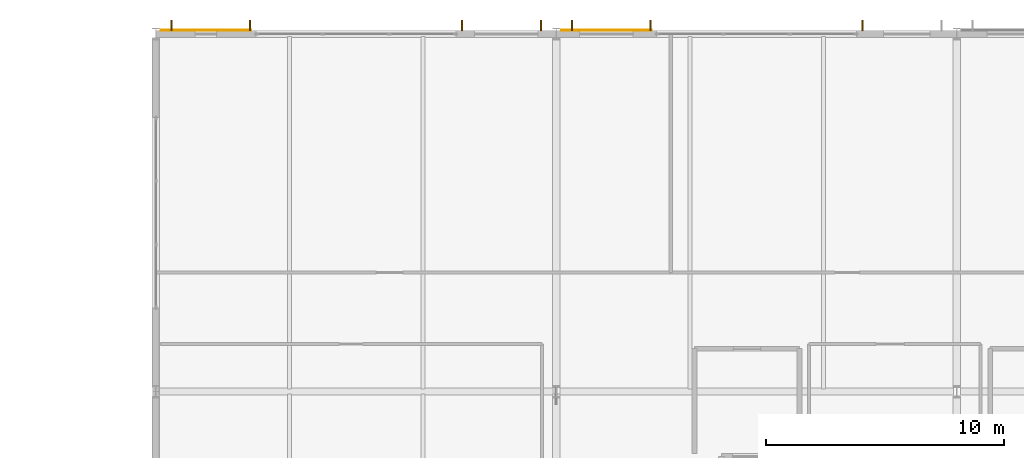
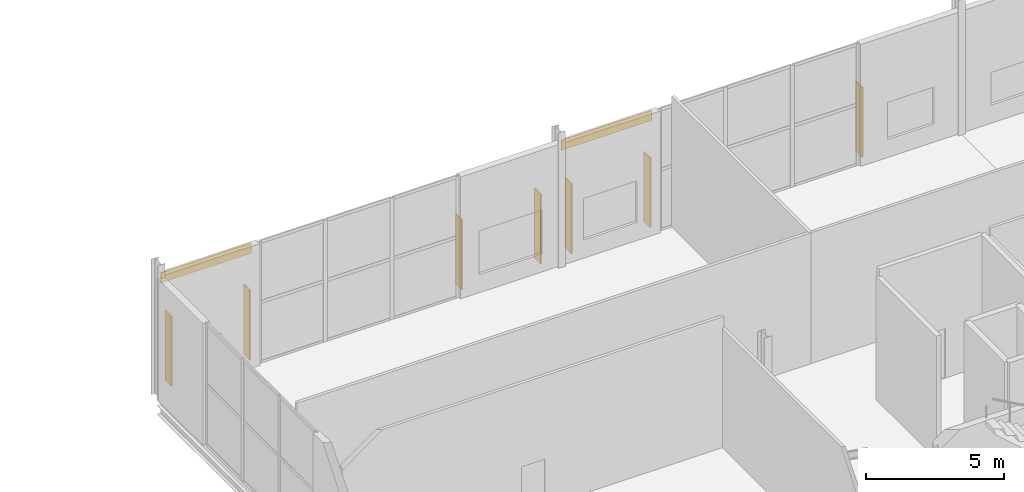
# One storey, part 93 of 100: 7 shading devices, 2 coverings.
"""IFC4 building model written with IfcOpenShell, lengths in metres."""

from ifc_helpers import new_model, si_unit, direction, frame, origin, origin_2d, place, context, subcontext, project, spatial, rectangle, extrude, material, layer, layer_set, type_object, element, save


model = new_model("IFC4")

# Units and contexts
model_context = context("Model", 3, precision=1e-05, world=origin(), true_north=direction((0.0, 1.0)))
body_context = subcontext(model_context, "Body", "Model", "MODEL_VIEW")
ifc_project = project(units=[si_unit("LENGTHUNIT", "METRE"), si_unit("AREAUNIT", "SQUARE_METRE"), si_unit("VOLUMEUNIT", "CUBIC_METRE"), si_unit("PLANEANGLEUNIT", "RADIAN"), si_unit("MASSUNIT", "GRAM", prefix="KILO")], contexts=[model_context])

# Site, building, storey
site_placement = place(None, origin())
site = spatial("IfcSite", under=ifc_project, at=site_placement, CompositionType="ELEMENT")
building_placement = place(site_placement, origin())
building = spatial("IfcBuilding", under=site, at=building_placement, Name="Kimbaza Rail Terminus", CompositionType="ELEMENT")
storey_placement = place(building_placement, frame((0.0, 0.0, 10.800048828125)))
storey = spatial("IfcBuildingStorey", under=building, at=storey_placement, Name="L02", CompositionType="ELEMENT", Elevation=10.800048828125)

# Coverings
ifc_material_1 = material(Name="Champagne anodised aluminium spandrel cladding", Category="aluminium")
ifc_layer = layer(ifc_material_1, 0.034912109375)
ifc_layer_set = layer_set([ifc_layer], Name="Champagne anodised aluminium spandrel cladding")
covering_type = type_object("IfcCoveringType", Name="ARC-COV-CLD1", PredefinedType="CLADDING", material=ifc_layer_set)
for number, where, z_axis, x_axis, name in (
    (1, (57.300048828125, 133.156005859375, 4.8798828125), (0.0, 0.0, 1.0), (1.0, 0.0, 0.0), "North Spandrel Cladding L02 Bay 1"),
    (2, (74.10009765625, 133.156005859375, 4.8798828125), (0.0, 0.0, 1.0), (1.0, 0.0, 0.0), "North Spandrel Cladding L02 Bay 2"),
):
    element("IfcCovering", number, at=place(storey_placement, frame(where, z_axis=z_axis, x_axis=x_axis)), inside=storey, type_object=covering_type, Name=name, PredefinedType="CLADDING", context=body_context, shape_type="SweptSolid", body=[
        extrude(rectangle(XDim=3.800048828125, YDim=0.034912109375, at=origin_2d()), origin(), (0.0, 0.0, 1.0), 0.449951171875),
    ])

# Shading devices
ifc_material_2 = material(Name="Champagne anodised extruded aluminium", Category="aluminium")
shading_device_type = type_object("IfcShadingDeviceType", Name="ARC-SHD-FIN450", PredefinedType="USERDEFINED", material=ifc_material_2)
for number, where, z_axis, x_axis, name in (
    (3, (55.85009765625, 133.363037109375, 0.14990234375), (0.0, 0.0, 1.0), (1.0, 0.0, 0.0), "North Solar Fin L02 Bay 1.1"),
    (4, (59.14990234375, 133.363037109375, 0.14990234375), (0.0, 0.0, 1.0), (1.0, 0.0, 0.0), "North Solar Fin L02 Bay 1.2"),
    (5, (68.050048828125, 133.363037109375, 0.14990234375), (0.0, 0.0, 1.0), (1.0, 0.0, 0.0), "North Solar Fin L02 Bay 1.3"),
    (6, (71.35009765625, 133.363037109375, 0.14990234375), (0.0, 0.0, 1.0), (1.0, 0.0, 0.0), "North Solar Fin L02 Bay 1.4"),
    (7, (72.64990234375, 133.363037109375, 0.14990234375), (0.0, 0.0, 1.0), (1.0, 0.0, 0.0), "North Solar Fin L02 Bay 2.1"),
    (8, (75.949951171875, 133.363037109375, 0.14990234375), (0.0, 0.0, 1.0), (1.0, 0.0, 0.0), "North Solar Fin L02 Bay 2.2"),
    (9, (84.85009765625, 133.363037109375, 0.14990234375), (0.0, 0.0, 1.0), (1.0, 0.0, 0.0), "North Solar Fin L02 Bay 2.3"),
):
    element("IfcShadingDevice", number, at=place(storey_placement, frame(where, z_axis=z_axis, x_axis=x_axis)), inside=storey, type_object=shading_device_type, Name=name, ObjectType="BRISE SOLEIL FIN", PredefinedType="USERDEFINED", context=body_context, shape_type="SweptSolid", body=[
        extrude(rectangle(XDim=0.06494140625, YDim=0.449951171875, at=origin_2d()), origin(), (0.0, 0.0, 1.0), 3.10009765625),
    ])

save(model, "model.ifc")
